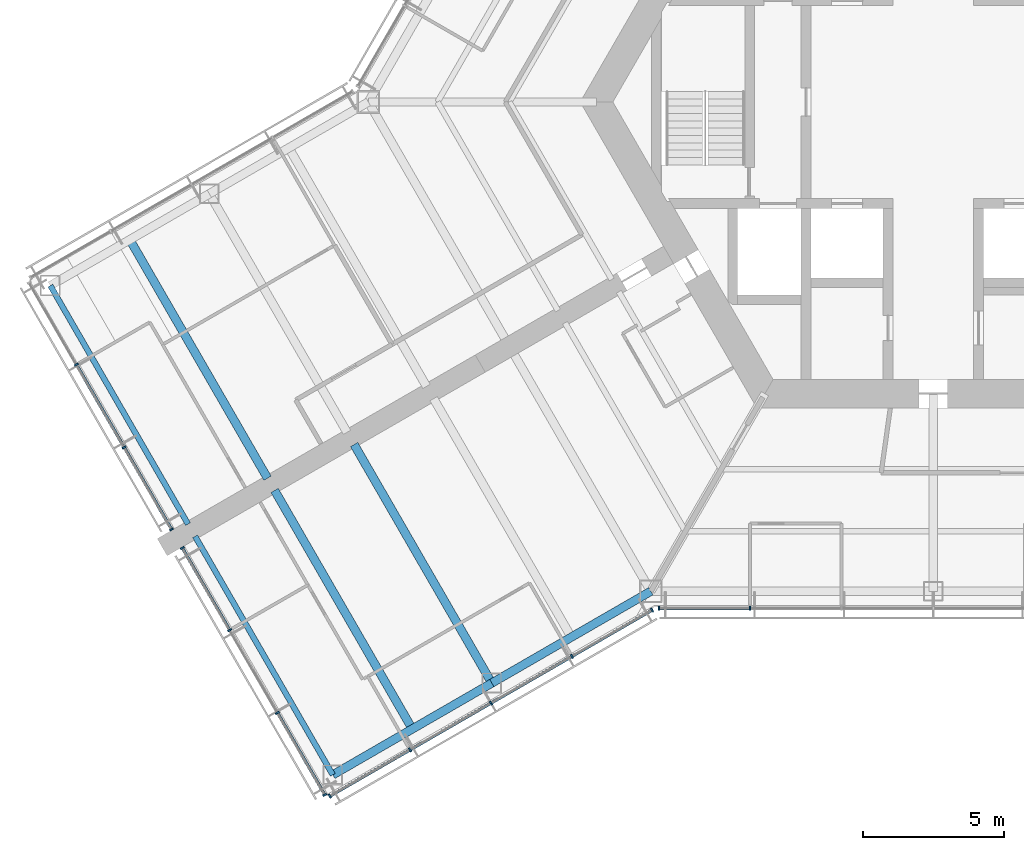
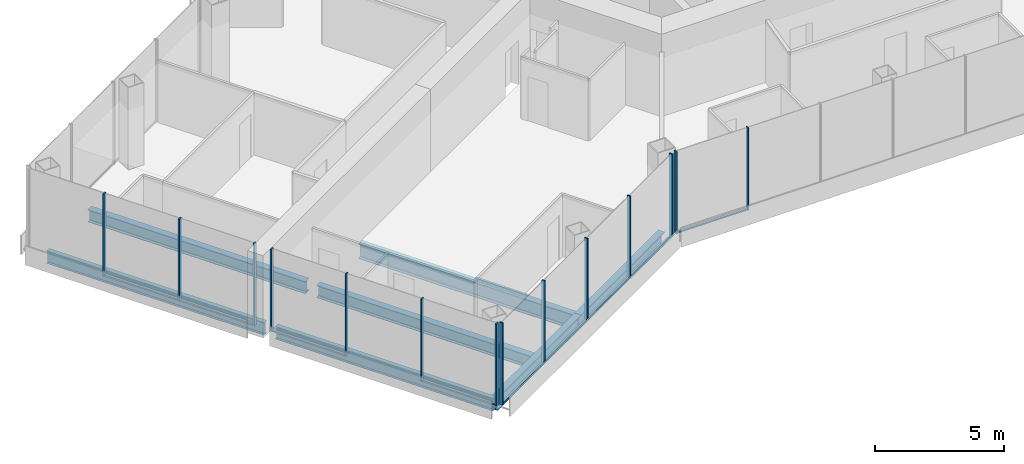
# One storey, part 2 of 18: 23 members, 7 beams, 4 elements without a shape of their own.
"""IFC4 building model written with IfcOpenShell, lengths in metres."""

import ifcopenshell
import ifcopenshell.guid

model = None  # the IFC model being written
_history = None  # IfcOwnerHistory: only IFC2X3 demands one
_inside = {}  # id of a spatial element -> (the spatial element, [elements in it])
_under = {}  # id of a project, library or spatial element -> (it, [spatial elements below it])
_declared = {}  # id of a project -> (the project, [libraries it declares])
_typed = {}  # id of a type object -> (the type object, [elements of that type])
_made_of = {}  # id of a material, layer set ... -> (it, [elements and type objects made of it])


def new_model(schema):
    """Start an empty IFC model of exactly this schema.

    Asked for "IFC4X3", IfcOpenShell would pick the latest addendum, in which some entities
    have other attributes; the version numbers below select the first issue.
    IFC2X3 requires an IfcOwnerHistory on every rooted entity: one is made here for all.
    """
    global model, _history
    if schema == "IFC4X3":
        model = ifcopenshell.file(schema_version=(4, 3, 0, 0))
    else:
        model = ifcopenshell.file(schema=schema)
    _inside.clear()
    _under.clear()
    _declared.clear()
    _typed.clear()
    _made_of.clear()
    _history = None
    if model.schema == "IFC2X3":
        org = make("IfcOrganization", Name="unknown")
        user = make(
            "IfcPersonAndOrganization",
            ThePerson=make("IfcPerson", FamilyName="unknown"),
            TheOrganization=org,
        )
        app = make(
            "IfcApplication",
            ApplicationDeveloper=org,
            Version="unknown",
            ApplicationFullName="unknown",
            ApplicationIdentifier="unknown",
        )
        _history = make(
            "IfcOwnerHistory",
            OwningUser=user,
            OwningApplication=app,
            ChangeAction="ADDED",
            CreationDate=0,
        )
    return model


def make(cls, **values):
    """One entity of the class cls with the attributes given. An attribute that is None is left unset."""
    return model.create_entity(
        cls, **{name: value for name, value in values.items() if value is not None}
    )


def rooted(cls, **values):
    """An entity with a GlobalId (a new one), such as an element, a storey or a relation."""
    return make(cls, GlobalId=ifcopenshell.guid.new(), OwnerHistory=_history, **values)


def si_unit(unit_type, name, prefix=None):
    """IfcSIUnit, for example si_unit("LENGTHUNIT", "METRE", prefix="MILLI")."""
    return make("IfcSIUnit", UnitType=unit_type, Prefix=prefix, Name=name)


def assignment(units):
    """IfcUnitAssignment: the units of a project."""
    return None if units is None else make("IfcUnitAssignment", Units=units)


def point(xyz):
    """IfcCartesianPoint."""
    return None if xyz is None else make("IfcCartesianPoint", Coordinates=xyz)


def direction(xyz):
    """IfcDirection."""
    return None if xyz is None else make("IfcDirection", DirectionRatios=xyz)


def frame(location, z_axis=None, x_axis=None):
    """IfcAxis2Placement3D, a coordinate frame: its origin and axes. An axis left out is left unset."""
    return make(
        "IfcAxis2Placement3D",
        Location=point(location),
        Axis=direction(z_axis),
        RefDirection=direction(x_axis),
    )


def frame_2d(location, x_axis=None):
    """IfcAxis2Placement2D, a coordinate frame in the plane: its origin and x axis."""
    return make(
        "IfcAxis2Placement2D", Location=point(location), RefDirection=direction(x_axis)
    )


def origin():
    """The frame at (0, 0, 0) with its axes left unset."""
    return frame((0.0, 0.0, 0.0))


def origin_2d():
    """The frame at (0, 0) in the plane with its x axis left unset."""
    return frame_2d((0.0, 0.0))


def place(relative_to, where):
    """IfcLocalPlacement: puts the frame where relative to a parent placement (None: the world)."""
    return make(
        "IfcLocalPlacement", PlacementRelTo=relative_to, RelativePlacement=where
    )


def context(
    kind, dimensions, precision=None, world=None, true_north=None, identifier=None
):
    """IfcGeometricRepresentationContext, for example the 3D "Model" context."""
    return make(
        "IfcGeometricRepresentationContext",
        ContextIdentifier=identifier,
        ContextType=kind,
        CoordinateSpaceDimension=dimensions,
        Precision=precision,
        WorldCoordinateSystem=world,
        TrueNorth=true_north,
    )


def subcontext(parent, identifier, kind, view, scale=None):
    """IfcGeometricRepresentationSubContext, for example "Body" below "Model"."""
    return make(
        "IfcGeometricRepresentationSubContext",
        ContextIdentifier=identifier,
        ContextType=kind,
        ParentContext=parent,
        TargetScale=scale,
        TargetView=view,
    )


def project(units=None, contexts=None):
    """IfcProject with its units and contexts."""
    return rooted(
        "IfcProject",
        Name="project",
        RepresentationContexts=contexts,
        UnitsInContext=assignment(units),
    )


def spatial(cls, under=None, at=None, **own):
    """A site, building, storey or space (cls), placed at a placement, below another one or the project."""
    s = rooted(cls, ObjectPlacement=at, **own)
    if under is not None:
        _under.setdefault(under.id(), (under, []))[1].append(s)
    return s


def profile(cls, at=None, kind="AREA", **sizes):
    """A parametric profile (cls). Its sizes go by their IFC names, for example OverallWidth=200.0."""
    return make(cls, ProfileType=kind, Position=at, **sizes)


def rectangle(**sizes):
    """IfcRectangleProfileDef."""
    return profile("IfcRectangleProfileDef", **sizes)


def i_section(**sizes):
    """IfcIShapeProfileDef."""
    return profile("IfcIShapeProfileDef", **sizes)


def extrude(swept, where, along, depth):
    """IfcExtrudedAreaSolid: the profile swept, set in the frame where, extruded along a direction by depth."""
    return make(
        "IfcExtrudedAreaSolid",
        SweptArea=swept,
        Position=where,
        ExtrudedDirection=direction(along),
        Depth=depth,
    )


def shape(context_of_items, identifier, shape_type, items):
    """IfcShapeRepresentation: the items that make up one representation, for example the "Body"."""
    return make(
        "IfcShapeRepresentation",
        ContextOfItems=context_of_items,
        RepresentationIdentifier=identifier,
        RepresentationType=shape_type,
        Items=items,
    )


def material(Name=None, Category=None):
    """IfcMaterial."""
    return make("IfcMaterial", Name=Name, Category=Category)


def material_profile(
    of_material, cross_section, Name=None, Category=None, Priority=None
):
    """IfcMaterialProfile: a cross section and its material."""
    return make(
        "IfcMaterialProfile",
        Name=Name,
        Material=of_material,
        Profile=cross_section,
        Priority=Priority,
        Category=Category,
    )


def profile_set(profiles, Name=None, composite=None):
    """IfcMaterialProfileSet."""
    return make(
        "IfcMaterialProfileSet",
        Name=Name,
        MaterialProfiles=profiles,
        CompositeProfile=composite,
    )


def made_of(thing, what):
    """Note that an element or type object is made of a material, layer set ...; save() writes the relation."""
    if what is not None:
        _made_of.setdefault(what.id(), (what, []))[1].append(thing)
    return thing


def type_object(cls, material=None, **own):
    """A type object (cls), such as IfcWallType, which elements share."""
    return made_of(rooted(cls, **own), material)


def element(
    cls,
    number,
    at=None,
    inside=None,
    cuts=None,
    type_object=None,
    material=None,
    context=None,
    identifier="Body",
    shape_type=None,
    held_by="IfcProductDefinitionShape",
    body=None,
    shapes=None,
    **own,
):
    """One element of the class cls, such as IfcWall. Its Tag is "e" and its number.

    at: its placement. inside: the storey or other place that contains it. cuts: it is an
    opening in that element (IfcRelVoidsElement). A single representation is given by context,
    identifier, shape_type and body (its items); several are given by shapes. held_by: the class
    of the entity that holds the representations. save() writes the other relations.
    """
    e = rooted(cls, Tag="e%d" % number, ObjectPlacement=at, **own)
    if body is not None:
        shapes = [shape(context, identifier, shape_type, body)]
    if shapes is not None:
        e.Representation = make(held_by, Representations=shapes)
    if inside is not None:
        _inside.setdefault(inside.id(), (inside, []))[1].append(e)
    if cuts is not None:
        rooted(
            "IfcRelVoidsElement", RelatingBuildingElement=cuts, RelatedOpeningElement=e
        )
    if type_object is not None:
        _typed.setdefault(type_object.id(), (type_object, []))[1].append(e)
    return made_of(e, material)


def aggregate(whole, parts):
    """IfcRelAggregates: a whole, such as a stair, and the parts it consists of."""
    return rooted("IfcRelAggregates", RelatingObject=whole, RelatedObjects=parts)


def save(model, path):
    """Write the relations noted so far, then the file.

    IfcRelAggregates (storeys below a building ...), IfcRelContainedInSpatialStructure (elements
    in a storey), IfcRelDefinesByType, IfcRelAssociatesMaterial and IfcRelDeclares: one each for
    every whole, place, type object, material and project.
    """
    for whole, parts in _under.values():
        aggregate(whole, parts)
    for where, things in _inside.values():
        rooted(
            "IfcRelContainedInSpatialStructure",
            RelatedElements=things,
            RelatingStructure=where,
        )
    for kind, things in _typed.values():
        rooted("IfcRelDefinesByType", RelatedObjects=things, RelatingType=kind)
    for what, things in _made_of.values():
        rooted("IfcRelAssociatesMaterial", RelatedObjects=things, RelatingMaterial=what)
    for by, libraries in _declared.values():
        rooted("IfcRelDeclares", RelatingContext=by, RelatedDefinitions=libraries)
    model.write(path)


model = new_model("IFC4")

# Units and contexts
model_context = context("Model", 3, precision=1e-05, world=origin(), true_north=direction((0.0, 1.0)))
body_context = subcontext(model_context, "Body", "Model", "MODEL_VIEW")
ifc_project = project(units=[si_unit("LENGTHUNIT", "METRE"), si_unit("AREAUNIT", "SQUARE_METRE"), si_unit("VOLUMEUNIT", "CUBIC_METRE"), si_unit("PLANEANGLEUNIT", "RADIAN"), si_unit("MASSUNIT", "GRAM", prefix="KILO")], contexts=[model_context])

# Site, building, storey
site_placement = place(None, origin())
site = spatial("IfcSite", under=ifc_project, at=site_placement, CompositionType="ELEMENT")
building_placement = place(site_placement, origin())
building = spatial("IfcBuilding", under=site, at=building_placement, Name="Kasaneha Research Tower", CompositionType="ELEMENT")
storey_placement = place(building_placement, frame((0.0, 0.0, 187.699951171875)))
storey = spatial("IfcBuildingStorey", under=building, at=storey_placement, Name="L47", CompositionType="ELEMENT", Elevation=187.699951171875)

# Beams
ifc_material_1 = material(Name="Steel SN490B", Category="steel")
ifc_material_profile_1 = material_profile(ifc_material_1, i_section(OverallWidth=0.300048828125, OverallDepth=0.58203125, WebThickness=0.011962890625, FlangeThickness=0.01708984375, FilletRadius=0.012939453125, at=origin_2d()), Name="H-582x300x12x17")
ifc_profile_set_1 = profile_set([ifc_material_profile_1], Name="Steel SN490B")
beam_type_1 = type_object("IfcBeamType", Name="B2-3 secondary beam H-582x300x12x17", PredefinedType="JOIST", material=ifc_profile_set_1)
for number, where, z_axis, x_axis, name in (
    (1, (-28.44384765625, -4.875, -0.44091796875), (0.499995560238, -0.866027967067, 0.0), (0.866027967067, 0.499995560238, 0.0), "Secondary beam WBBP2 L47"),
    (2, (-18.44384765625, -22.195556640625, -0.44091796875), (-0.499995560238, 0.866027967067, 0.0), (-0.866027967067, -0.499995560238, 0.0), "Secondary beam WBBN2 L47"),
):
    element("IfcBeam", number, at=place(storey_placement, frame(where, z_axis=z_axis, x_axis=x_axis)), inside=storey, type_object=beam_type_1, Name=name, PredefinedType="JOIST", context=body_context, shape_type="SweptSolid", body=[
        extrude(i_section(OverallWidth=0.300048828125, OverallDepth=0.58203125, WebThickness=0.011962890625, FlangeThickness=0.01708984375, FilletRadius=0.012939453125, at=origin_2d()), origin(), (0.0, 0.0, 1.0), 9.75),
    ])

# Curtain wall, members
ifc_material_2 = material(Name="Glass and aluminium", Category="aluminium")
curtain_wall_type = type_object("IfcCurtainWallType", Name="Mid-rise office curtain wall", PredefinedType="USERDEFINED", material=ifc_material_2)
curtain_wall_1_placement = place(storey_placement, origin())
curtain_wall_1 = element("IfcCurtainWall", 3, at=curtain_wall_1_placement, inside=storey, type_object=curtain_wall_type, Name="CW-O2 L47 run 01a", ObjectType="UNITISED CURTAIN WALL", PredefinedType="USERDEFINED")
ifc_material_3 = material(Name="Aluminium 6063-T6", Category="aluminium")
ifc_material_profile_2 = material_profile(ifc_material_3, rectangle(XDim=0.06005859375, YDim=0.14990234375, at=origin_2d()), Name="CW-O2 mullion 60x150")
ifc_profile_set_2 = profile_set([ifc_material_profile_2], Name="Aluminium 6063-T6")
member_type_1 = type_object("IfcMemberType", Name="CW-O2 mullion", PredefinedType="MULLION", material=ifc_profile_set_2)
member_1_placement = place(storey_placement, frame((-9.709228515625, -17.92041015625, 0.0), z_axis=(0.0, 0.0, 1.0), x_axis=(1.0, 0.0, 0.0)))
member_1 = element("IfcMember", 4, at=member_1_placement, type_object=member_type_1, Name="CW-O2 mullion 1", PredefinedType="MULLION", context=body_context, shape_type="SweptSolid", body=[
    extrude(rectangle(XDim=0.06005859375, YDim=0.14990234375, at=origin_2d()), origin(), (0.0, 0.0, 1.0), 3.900146484375),
])
member_2_placement = place(storey_placement, frame((-6.492919921875, -17.92041015625, 0.0), z_axis=(0.0, 0.0, 1.0), x_axis=(1.0, 0.0, 0.0)))
member_2 = element("IfcMember", 5, at=member_2_placement, type_object=member_type_1, Name="CW-O2 mullion 2", PredefinedType="MULLION", context=body_context, shape_type="SweptSolid", body=[
    extrude(rectangle(XDim=0.06005859375, YDim=0.14990234375, at=origin_2d()), origin(), (0.0, 0.0, 1.0), 3.900146484375),
])

curtain_wall_2_placement = place(storey_placement, origin())
curtain_wall_2 = element("IfcCurtainWall", 6, at=curtain_wall_2_placement, inside=storey, type_object=curtain_wall_type, Name="CW-O2 L47 run 10a", ObjectType="UNITISED CURTAIN WALL", PredefinedType="USERDEFINED")
member_3_placement = place(storey_placement, frame((-30.336181640625, -9.297119140625, 0.0), z_axis=(0.0, 0.0, 1.0), x_axis=(0.500000011442, -0.866025397178, 0.0)))
member_3 = element("IfcMember", 7, at=member_3_placement, type_object=member_type_1, Name="CW-O2 mullion 2", PredefinedType="MULLION", context=body_context, shape_type="SweptSolid", body=[
    extrude(rectangle(XDim=0.06005859375, YDim=0.14990234375, at=origin_2d()), origin(), (0.0, 0.0, 1.0), 3.900146484375),
])
member_4_placement = place(storey_placement, frame((-28.64453125, -12.22705078125, 0.0), z_axis=(0.0, 0.0, 1.0), x_axis=(0.500000011442, -0.866025397178, 0.0)))
member_4 = element("IfcMember", 8, at=member_4_placement, type_object=member_type_1, Name="CW-O2 mullion 3", PredefinedType="MULLION", context=body_context, shape_type="SweptSolid", body=[
    extrude(rectangle(XDim=0.06005859375, YDim=0.14990234375, at=origin_2d()), origin(), (0.0, 0.0, 1.0), 3.900146484375),
])
member_5_placement = place(storey_placement, frame((-26.968017578125, -15.131103515625, 0.0), z_axis=(0.0, 0.0, 1.0), x_axis=(0.500000011442, -0.866025397178, 0.0)))
member_5 = element("IfcMember", 9, at=member_5_placement, type_object=member_type_1, Name="CW-O2 mullion 4", PredefinedType="MULLION", context=body_context, shape_type="SweptSolid", body=[
    extrude(rectangle(XDim=0.06005859375, YDim=0.14990234375, at=origin_2d()), origin(), (0.0, 0.0, 1.0), 3.900146484375),
])

curtain_wall_3_placement = place(storey_placement, origin())
curtain_wall_3 = element("IfcCurtainWall", 10, at=curtain_wall_3_placement, inside=storey, type_object=curtain_wall_type, Name="CW-O2 L47 run 11a", ObjectType="UNITISED CURTAIN WALL", PredefinedType="USERDEFINED")
member_6_placement = place(storey_placement, frame((-26.587890625, -15.789306640625, 0.0), z_axis=(0.0, 0.0, 1.0), x_axis=(0.500000011442, -0.866025397178, 0.0)))
member_6 = element("IfcMember", 11, at=member_6_placement, type_object=member_type_1, Name="CW-O2 mullion 1", PredefinedType="MULLION", context=body_context, shape_type="SweptSolid", body=[
    extrude(rectangle(XDim=0.06005859375, YDim=0.14990234375, at=origin_2d()), origin(), (0.0, 0.0, 1.0), 3.900146484375),
])
member_7_placement = place(storey_placement, frame((-24.911376953125, -18.693359375, 0.0), z_axis=(0.0, 0.0, 1.0), x_axis=(0.500000011442, -0.866025397178, 0.0)))
member_7 = element("IfcMember", 12, at=member_7_placement, type_object=member_type_1, Name="CW-O2 mullion 2", PredefinedType="MULLION", context=body_context, shape_type="SweptSolid", body=[
    extrude(rectangle(XDim=0.06005859375, YDim=0.14990234375, at=origin_2d()), origin(), (0.0, 0.0, 1.0), 3.900146484375),
])
member_8_placement = place(storey_placement, frame((-23.2197265625, -21.62353515625, 0.0), z_axis=(0.0, 0.0, 1.0), x_axis=(0.500000011442, -0.866025397178, 0.0)))
member_8 = element("IfcMember", 13, at=member_8_placement, type_object=member_type_1, Name="CW-O2 mullion 3", PredefinedType="MULLION", context=body_context, shape_type="SweptSolid", body=[
    extrude(rectangle(XDim=0.06005859375, YDim=0.14990234375, at=origin_2d()), origin(), (0.0, 0.0, 1.0), 3.900146484375),
])
member_9_placement = place(storey_placement, frame((-21.54296875, -24.527587890625, 0.0), z_axis=(0.0, 0.0, 1.0), x_axis=(0.500000011442, -0.866025397178, 0.0)))
member_9 = element("IfcMember", 14, at=member_9_placement, type_object=member_type_1, Name="CW-O2 mullion 4", PredefinedType="MULLION", context=body_context, shape_type="SweptSolid", body=[
    extrude(rectangle(XDim=0.06005859375, YDim=0.14990234375, at=origin_2d()), origin(), (0.0, 0.0, 1.0), 3.900146484375),
])

curtain_wall_4_placement = place(storey_placement, origin())
curtain_wall_4 = element("IfcCurtainWall", 15, at=curtain_wall_4_placement, inside=storey, type_object=curtain_wall_type, Name="CW-O2 L47 run 12a", ObjectType="UNITISED CURTAIN WALL", PredefinedType="USERDEFINED")
member_10_placement = place(storey_placement, frame((-21.365478515625, -24.5751953125, 0.0), z_axis=(0.0, 0.0, 1.0), x_axis=(0.866025411464, 0.499999986699, 0.0)))
member_10 = element("IfcMember", 16, at=member_10_placement, type_object=member_type_1, Name="CW-O2 mullion 1", PredefinedType="MULLION", context=body_context, shape_type="SweptSolid", body=[
    extrude(rectangle(XDim=0.06005859375, YDim=0.14990234375, at=origin_2d()), origin(), (0.0, 0.0, 1.0), 3.900146484375),
])
member_11_placement = place(storey_placement, frame((-18.52490234375, -22.935302734375, 0.0), z_axis=(0.0, 0.0, 1.0), x_axis=(0.866025411464, 0.499999986699, 0.0)))
member_11 = element("IfcMember", 17, at=member_11_placement, type_object=member_type_1, Name="CW-O2 mullion 2", PredefinedType="MULLION", context=body_context, shape_type="SweptSolid", body=[
    extrude(rectangle(XDim=0.06005859375, YDim=0.14990234375, at=origin_2d()), origin(), (0.0, 0.0, 1.0), 3.900146484375),
])
member_12_placement = place(storey_placement, frame((-15.65869140625, -21.2802734375, 0.0), z_axis=(0.0, 0.0, 1.0), x_axis=(0.866025411464, 0.499999986699, 0.0)))
member_12 = element("IfcMember", 18, at=member_12_placement, type_object=member_type_1, Name="CW-O2 mullion 3", PredefinedType="MULLION", context=body_context, shape_type="SweptSolid", body=[
    extrude(rectangle(XDim=0.06005859375, YDim=0.14990234375, at=origin_2d()), origin(), (0.0, 0.0, 1.0), 3.900146484375),
])
member_13_placement = place(storey_placement, frame((-12.792236328125, -19.62548828125, 0.0), z_axis=(0.0, 0.0, 1.0), x_axis=(0.866025411464, 0.499999986699, 0.0)))
member_13 = element("IfcMember", 19, at=member_13_placement, type_object=member_type_1, Name="CW-O2 mullion 4", PredefinedType="MULLION", context=body_context, shape_type="SweptSolid", body=[
    extrude(rectangle(XDim=0.06005859375, YDim=0.14990234375, at=origin_2d()), origin(), (0.0, 0.0, 1.0), 3.900146484375),
])
member_14_placement = place(storey_placement, frame((-9.951904296875, -17.985595703125, 0.0), z_axis=(0.0, 0.0, 1.0), x_axis=(0.866025411464, 0.499999986699, 0.0)))
member_14 = element("IfcMember", 20, at=member_14_placement, type_object=member_type_1, Name="CW-O2 mullion 5", PredefinedType="MULLION", context=body_context, shape_type="SweptSolid", body=[
    extrude(rectangle(XDim=0.06005859375, YDim=0.14990234375, at=origin_2d()), origin(), (0.0, 0.0, 1.0), 3.900146484375),
])

# Member
ifc_material_4 = material(Name="Aluminium 6063-T6", Category="aluminium")
ifc_material_profile_3 = material_profile(ifc_material_4, rectangle(XDim=0.110107421875, YDim=0.06005859375, at=origin_2d()), Name="CW-O2 transom 110x60")
ifc_profile_set_3 = profile_set([ifc_material_profile_3], Name="Aluminium 6063-T6")
member_type_2 = type_object("IfcMemberType", Name="CW-O2 transom", PredefinedType="USERDEFINED", material=ifc_profile_set_3)
member_15_placement = place(storey_placement, frame((-9.67919921875, -17.92041015625, 0.030029296875), z_axis=(1.0, 0.0, 0.0), x_axis=(0.0, 1.0, 0.0)))
member_15 = element("IfcMember", 21, at=member_15_placement, type_object=member_type_2, Name="CW-O2 transom 1", ObjectType="TRANSOM", PredefinedType="USERDEFINED", context=body_context, shape_type="SweptSolid", body=[
    extrude(rectangle(XDim=0.110107421875, YDim=0.06005859375, at=origin_2d()), origin(), (0.0, 0.0, 1.0), 3.156494140625),
])

aggregate(curtain_wall_1, [member_1, member_2, member_15])

member_16_placement = place(storey_placement, frame((-30.3212890625, -9.322998046875, 0.030029296875), z_axis=(0.499978935311, -0.866037565146, 0.0), x_axis=(0.866037565146, 0.499978935311, 0.0)))
member_16 = element("IfcMember", 22, at=member_16_placement, type_object=member_type_2, Name="CW-O2 transom 2", ObjectType="TRANSOM", PredefinedType="USERDEFINED", context=body_context, shape_type="SweptSolid", body=[
    extrude(rectangle(XDim=0.110107421875, YDim=0.06005859375, at=origin_2d()), origin(), (0.0, 0.0, 1.0), 3.323486328125),
])

member_17_placement = place(storey_placement, frame((-28.629638671875, -12.253173828125, 0.030029296875), z_axis=(0.500021914551, -0.866012751043, 0.0), x_axis=(0.866012751043, 0.500021914551, 0.0)))
member_17 = element("IfcMember", 23, at=member_17_placement, type_object=member_type_2, Name="CW-O2 transom 3", ObjectType="TRANSOM", PredefinedType="USERDEFINED", context=body_context, shape_type="SweptSolid", body=[
    extrude(rectangle(XDim=0.110107421875, YDim=0.06005859375, at=origin_2d()), origin(), (0.0, 0.0, 1.0), 3.293212890625),
])

aggregate(curtain_wall_2, [member_3, member_4, member_5, member_16, member_17])

member_18_placement = place(storey_placement, frame((-26.572998046875, -15.8154296875, 0.030029296875), z_axis=(0.500021914551, -0.866012751043, 0.0), x_axis=(0.866012751043, 0.500021914551, 0.0)))
member_18 = element("IfcMember", 24, at=member_18_placement, type_object=member_type_2, Name="CW-O2 transom 1", ObjectType="TRANSOM", PredefinedType="USERDEFINED", context=body_context, shape_type="SweptSolid", body=[
    extrude(rectangle(XDim=0.110107421875, YDim=0.06005859375, at=origin_2d()), origin(), (0.0, 0.0, 1.0), 3.293212890625),
])

member_19_placement = place(storey_placement, frame((-23.20458984375, -21.6494140625, 0.030029296875), z_axis=(0.500021914551, -0.866012751043, 0.0), x_axis=(0.866012751043, 0.500021914551, 0.0)))
member_19 = element("IfcMember", 25, at=member_19_placement, type_object=member_type_2, Name="CW-O2 transom 3", ObjectType="TRANSOM", PredefinedType="USERDEFINED", context=body_context, shape_type="SweptSolid", body=[
    extrude(rectangle(XDim=0.110107421875, YDim=0.06005859375, at=origin_2d()), origin(), (0.0, 0.0, 1.0), 3.293212890625),
])

aggregate(curtain_wall_3, [member_6, member_7, member_8, member_9, member_18, member_19])

member_20_placement = place(storey_placement, frame((-21.33935546875, -24.56005859375, 0.030029296875), z_axis=(0.866022692473, 0.500004696101, 0.0), x_axis=(-0.500004696101, 0.866022692473, 0.0)))
member_20 = element("IfcMember", 26, at=member_20_placement, type_object=member_type_2, Name="CW-O2 transom 1", ObjectType="TRANSOM", PredefinedType="USERDEFINED", context=body_context, shape_type="SweptSolid", body=[
    extrude(rectangle(XDim=0.110107421875, YDim=0.06005859375, at=origin_2d()), origin(), (0.0, 0.0, 1.0), 3.2197265625),
])

member_21_placement = place(storey_placement, frame((-18.4990234375, -22.920166015625, 0.030029296875), z_axis=(0.86604797581, 0.499960902066, 0.0), x_axis=(-0.499960902066, 0.86604797581, 0.0)))
member_21 = element("IfcMember", 27, at=member_21_placement, type_object=member_type_2, Name="CW-O2 transom 2", ObjectType="TRANSOM", PredefinedType="USERDEFINED", context=body_context, shape_type="SweptSolid", body=[
    extrude(rectangle(XDim=0.110107421875, YDim=0.06005859375, at=origin_2d()), origin(), (0.0, 0.0, 1.0), 3.249755859375),
])

member_22_placement = place(storey_placement, frame((-15.632568359375, -21.265380859375, 0.030029296875), z_axis=(0.866015446554, 0.500017246033, 0.0), x_axis=(-0.500017246033, 0.866015446554, 0.0)))
member_22 = element("IfcMember", 28, at=member_22_placement, type_object=member_type_2, Name="CW-O2 transom 3", ObjectType="TRANSOM", PredefinedType="USERDEFINED", context=body_context, shape_type="SweptSolid", body=[
    extrude(rectangle(XDim=0.110107421875, YDim=0.06005859375, at=origin_2d()), origin(), (0.0, 0.0, 1.0), 3.25),
])

member_23_placement = place(storey_placement, frame((-12.76611328125, -19.6103515625, 0.030029296875), z_axis=(0.866022692473, 0.500004696101, 0.0), x_axis=(-0.500004696101, 0.866022692473, 0.0)))
member_23 = element("IfcMember", 29, at=member_23_placement, type_object=member_type_2, Name="CW-O2 transom 4", ObjectType="TRANSOM", PredefinedType="USERDEFINED", context=body_context, shape_type="SweptSolid", body=[
    extrude(rectangle(XDim=0.110107421875, YDim=0.06005859375, at=origin_2d()), origin(), (0.0, 0.0, 1.0), 3.2197265625),
])

aggregate(curtain_wall_4, [member_10, member_11, member_12, member_13, member_14, member_20, member_21, member_22, member_23])

# Beams
ifc_material_5 = material(Name="Steel SN490B", Category="steel")
ifc_material_profile_4 = material_profile(ifc_material_5, i_section(OverallWidth=0.300048828125, OverallDepth=0.699951171875, WebThickness=0.012939453125, FlangeThickness=0.02392578125, FilletRadius=0.01806640625, at=origin_2d()), Name="H-700x300x13x24")
ifc_profile_set_4 = profile_set([ifc_material_profile_4], Name="Steel SN490B")
beam_type_2 = type_object("IfcBeamType", Name="G4-3 wing girder H-700x300x13x24", PredefinedType="BEAM", material=ifc_profile_set_4)
beam_placement = place(storey_placement, frame((-15.629150390625, -20.570556640625, -0.5), z_axis=(-0.499995560238, 0.866027967067, 0.0), x_axis=(-0.866027967067, -0.499995560238, 0.0)))
element("IfcBeam", 30, at=beam_placement, inside=storey, type_object=beam_type_2, Name="Wing girder WGBN L47", PredefinedType="BEAM", context=body_context, shape_type="SweptSolid", body=[
    extrude(i_section(OverallWidth=0.300048828125, OverallDepth=0.699951171875, WebThickness=0.012939453125, FlangeThickness=0.02392578125, FilletRadius=0.01806640625, at=origin_2d()), origin(), (0.0, 0.0, 1.0), 9.75),
])
ifc_material_6 = material(Name="Steel SN490B", Category="steel")
ifc_material_profile_5 = material_profile(ifc_material_6, i_section(OverallWidth=0.300048828125, OverallDepth=0.58203125, WebThickness=0.011962890625, FlangeThickness=0.01708984375, FilletRadius=0.012939453125, at=origin_2d()), Name="H-582x300x12x17")
ifc_profile_set_5 = profile_set([ifc_material_profile_5], Name="Steel SN490B")
beam_type_3 = type_object("IfcBeamType", Name="SB2-3 spandrel beam H-582x300x12x17", PredefinedType="SPANDREL", material=ifc_profile_set_5)
for number, where, z_axis, x_axis, name in (
    (31, (-10.0, -17.320556640625, -0.44091796875), (-0.866024837091, -0.50000098154, 0.0), (0.50000098154, -0.866024837091, 0.0), "Spandrel beam WSBN1 L47"),
    (32, (-15.629150390625, -20.570556640625, -0.44091796875), (-0.866024837091, -0.50000098154, 0.0), (0.50000098154, -0.866024837091, 0.0), "Spandrel beam WSBN2 L47"),
):
    element("IfcBeam", number, at=place(storey_placement, frame(where, z_axis=z_axis, x_axis=x_axis)), inside=storey, type_object=beam_type_3, Name=name, PredefinedType="SPANDREL", context=body_context, shape_type="SweptSolid", body=[
        extrude(i_section(OverallWidth=0.300048828125, OverallDepth=0.58203125, WebThickness=0.011962890625, FlangeThickness=0.01708984375, FilletRadius=0.012939453125, at=origin_2d()), origin(), (0.0, 0.0, 1.0), 6.5),
    ])
ifc_material_7 = material(Name="Steel SN490B", Category="steel")
ifc_material_profile_6 = material_profile(ifc_material_7, i_section(OverallWidth=0.199951171875, OverallDepth=0.60009765625, WebThickness=0.010986328125, FlangeThickness=0.01708984375, FilletRadius=0.012939453125, at=origin_2d()), Name="H-600x200x11x17")
ifc_profile_set_6 = profile_set([ifc_material_profile_6], Name="Steel SN490B")
beam_type_4 = type_object("IfcBeamType", Name="SB3-3 spandrel beam H-600x200x11x17", PredefinedType="SPANDREL", material=ifc_profile_set_6)
for number, where, z_axis, x_axis, name in (
    (33, (-31.25830078125, -6.5, -0.449951171875), (0.499995560238, -0.866027967067, 0.0), (0.866027967067, 0.499995560238, 0.0), "Spandrel beam WTBP L47"),
    (34, (-21.25830078125, -23.820556640625, -0.449951171875), (-0.499995560238, 0.866027967067, 0.0), (-0.866027967067, -0.499995560238, 0.0), "Spandrel beam WTBN L47"),
):
    element("IfcBeam", number, at=place(storey_placement, frame(where, z_axis=z_axis, x_axis=x_axis)), inside=storey, type_object=beam_type_4, Name=name, PredefinedType="SPANDREL", context=body_context, shape_type="SweptSolid", body=[
        extrude(i_section(OverallWidth=0.199951171875, OverallDepth=0.60009765625, WebThickness=0.010986328125, FlangeThickness=0.01708984375, FilletRadius=0.012939453125, at=origin_2d()), origin(), (0.0, 0.0, 1.0), 9.75),
    ])

save(model, "model.ifc")
